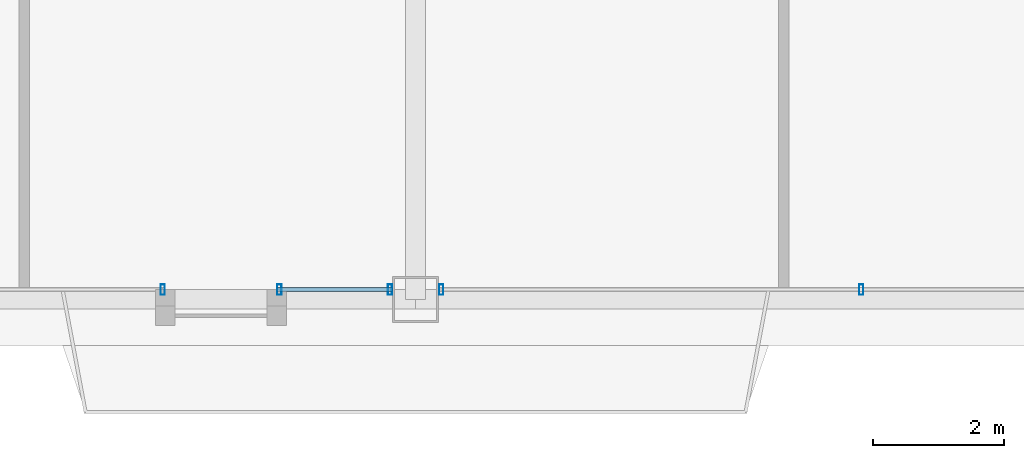
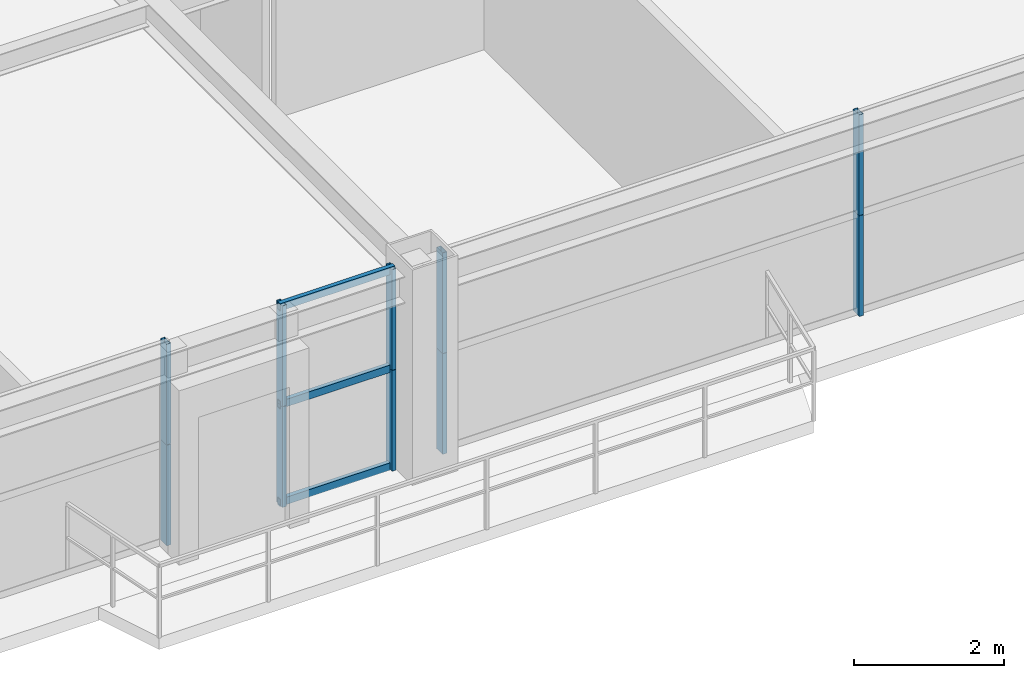
# One storey, part 7 of 33: 13 members, 3 elements without a shape of their own.
"""IFC4 building model written with IfcOpenShell, lengths in metres."""

from ifc_helpers import new_model, si_unit, direction, frame, origin, origin_2d, place, context, subcontext, project, spatial, hollow_rectangle, extrude, source, transform, mapped, material, layer, layer_set, material_profile, profile_set, type_object, element, aggregate, save


model = new_model("IFC4")

# Units and contexts
model_context = context("Model", 3, precision=1e-05, world=origin(), true_north=direction((0.0, 1.0)))
body_context = subcontext(model_context, "Body", "Model", "MODEL_VIEW")
ifc_project = project(units=[si_unit("LENGTHUNIT", "METRE"), si_unit("AREAUNIT", "SQUARE_METRE"), si_unit("VOLUMEUNIT", "CUBIC_METRE"), si_unit("PLANEANGLEUNIT", "RADIAN"), si_unit("MASSUNIT", "GRAM", prefix="KILO"), si_unit("THERMODYNAMICTEMPERATUREUNIT", "KELVIN"), si_unit("POWERUNIT", "WATT")], contexts=[model_context])

# Site, building, storey
site_placement = place(None, origin())
site = spatial("IfcSite", under=ifc_project, at=site_placement, CompositionType="ELEMENT")
building_placement = place(site_placement, origin())
building = spatial("IfcBuilding", under=site, at=building_placement, Name="Yuzanri Waterfront Tower", CompositionType="ELEMENT")
storey_placement = place(building_placement, frame((0.0, 0.0, 234.60009765625)))
storey = spatial("IfcBuildingStorey", under=building, at=storey_placement, Name="L62", CompositionType="ELEMENT", Elevation=234.60009765625)

# Curtain wall, members
ifc_material_1 = material(Name="Anodized Architectural Bronze", Category="metal")
ifc_layer = layer(ifc_material_1, 0.159912109375)
ifc_layer_set = layer_set([ifc_layer], Name="Anodized Architectural Bronze")
curtain_wall_type = type_object("IfcCurtainWallType", Name="Anodized Bronze Mid-Rise Residential Acoustic Unitized Curtain Wall 7200", PredefinedType="NOTDEFINED", material=ifc_layer_set)
curtain_wall_1_placement = place(storey_placement, origin())
curtain_wall_1 = element("IfcCurtainWall", 1, at=curtain_wall_1_placement, inside=storey, type_object=curtain_wall_type, Name="L62 Curtain Wall CW-L62-SL1", PredefinedType="NOTDEFINED")
ifc_material_2 = material(Name="Anodized Architectural Bronze", Category="metal")
ifc_material_profile_1 = material_profile(ifc_material_2, hollow_rectangle(XDim=0.06494140625, YDim=0.159912109375, WallThickness=0.00341796875, at=origin_2d()), Name="CWM 65x160")
ifc_profile_set_1 = profile_set([ifc_material_profile_1], Name="Anodized Architectural Bronze")
member_type_1 = type_object("IfcMemberType", Name="Anodized Bronze Upper-Zone Curtain-Wall Mullion 65x160", PredefinedType="MULLION", material=ifc_profile_set_1)
shared_shape_1 = source(origin(), body_context, "Body", "SweptSolid", [
    extrude(hollow_rectangle(XDim=0.06494140625, YDim=0.159912109375, WallThickness=0.00341796875, at=origin_2d()), origin(), (0.0, 0.0, 1.0), 1.637939453125),
])
member_1_placement = place(storey_placement, frame((33.14208984375, 5.35009765625, 0.0), z_axis=(0.0, 0.0, 1.0), x_axis=(1.0, 0.0, 0.0)))
member_1 = element("IfcMember", 2, at=member_1_placement, type_object=member_type_1, Name="CW-L62-SL1 Lower Mullion 01", PredefinedType="MULLION", context=body_context, shape_type="MappedRepresentation", body=[
    mapped(shared_shape_1, transform((0.0, 0.0, 0.0), scale=1.0)),
])
member_2_placement = place(storey_placement, frame((33.14208984375, 5.35009765625, 1.641845703125), z_axis=(0.0, 0.0, 1.0), x_axis=(1.0, 0.0, 0.0)))
member_2 = element("IfcMember", 3, at=member_2_placement, type_object=member_type_1, Name="CW-L62-SL1 Upper Mullion 01", PredefinedType="MULLION", context=body_context, shape_type="MappedRepresentation", body=[
    mapped(shared_shape_1, transform((0.0, 0.0, 0.0), scale=1.0)),
])
aggregate(curtain_wall_1, [member_1, member_2])

curtain_wall_2_placement = place(storey_placement, origin())
curtain_wall_2 = element("IfcCurtainWall", 4, at=curtain_wall_2_placement, inside=storey, type_object=curtain_wall_type, Name="L62 Curtain Wall CW-L62-SL2", PredefinedType="NOTDEFINED")
member_3_placement = place(storey_placement, frame((34.922119140625, 5.35009765625, 0.0), z_axis=(0.0, 0.0, 1.0), x_axis=(1.0, 0.0, 0.0)))
member_3 = element("IfcMember", 5, at=member_3_placement, type_object=member_type_1, Name="CW-L62-SL2 Lower Mullion 00", PredefinedType="MULLION", context=body_context, shape_type="MappedRepresentation", body=[
    mapped(shared_shape_1, transform((0.0, 0.0, 0.0), scale=1.0)),
])
member_4_placement = place(storey_placement, frame((34.922119140625, 5.35009765625, 1.641845703125), z_axis=(0.0, 0.0, 1.0), x_axis=(1.0, 0.0, 0.0)))
member_4 = element("IfcMember", 6, at=member_4_placement, type_object=member_type_1, Name="CW-L62-SL2 Upper Mullion 00", PredefinedType="MULLION", context=body_context, shape_type="MappedRepresentation", body=[
    mapped(shared_shape_1, transform((0.0, 0.0, 0.0), scale=1.0)),
])
member_5_placement = place(storey_placement, frame((36.610107421875, 5.35009765625, 0.0), z_axis=(0.0, 0.0, 1.0), x_axis=(1.0, 0.0, 0.0)))
member_5 = element("IfcMember", 7, at=member_5_placement, type_object=member_type_1, Name="CW-L62-SL2 Lower Mullion 01", PredefinedType="MULLION", context=body_context, shape_type="MappedRepresentation", body=[
    mapped(shared_shape_1, transform((0.0, 0.0, 0.0), scale=1.0)),
])
member_6_placement = place(storey_placement, frame((36.610107421875, 5.35009765625, 1.641845703125), z_axis=(0.0, 0.0, 1.0), x_axis=(1.0, 0.0, 0.0)))
member_6 = element("IfcMember", 8, at=member_6_placement, type_object=member_type_1, Name="CW-L62-SL2 Upper Mullion 01", PredefinedType="MULLION", context=body_context, shape_type="MappedRepresentation", body=[
    mapped(shared_shape_1, transform((0.0, 0.0, 0.0), scale=1.0)),
])

curtain_wall_3_placement = place(storey_placement, origin())
curtain_wall_3 = element("IfcCurtainWall", 9, at=curtain_wall_3_placement, inside=storey, type_object=curtain_wall_type, Name="L62 Curtain Wall CW-L62-SR", PredefinedType="NOTDEFINED")
member_7_placement = place(storey_placement, frame((37.389892578125, 5.35009765625, 0.0), z_axis=(0.0, 0.0, 1.0), x_axis=(1.0, 0.0, 0.0)))
member_7 = element("IfcMember", 10, at=member_7_placement, type_object=member_type_1, Name="CW-L62-SR Lower Mullion 00", PredefinedType="MULLION", context=body_context, shape_type="MappedRepresentation", body=[
    mapped(shared_shape_1, transform((0.0, 0.0, 0.0), scale=1.0)),
])
member_8_placement = place(storey_placement, frame((37.389892578125, 5.35009765625, 1.641845703125), z_axis=(0.0, 0.0, 1.0), x_axis=(1.0, 0.0, 0.0)))
member_8 = element("IfcMember", 11, at=member_8_placement, type_object=member_type_1, Name="CW-L62-SR Upper Mullion 00", PredefinedType="MULLION", context=body_context, shape_type="MappedRepresentation", body=[
    mapped(shared_shape_1, transform((0.0, 0.0, 0.0), scale=1.0)),
])
member_9_placement = place(storey_placement, frame((43.800048828125, 5.35009765625, 0.0), z_axis=(0.0, 0.0, 1.0), x_axis=(1.0, 0.0, 0.0)))
member_9 = element("IfcMember", 12, at=member_9_placement, type_object=member_type_1, Name="CW-L62-SR Lower Mullion 01", PredefinedType="MULLION", context=body_context, shape_type="MappedRepresentation", body=[
    mapped(shared_shape_1, transform((0.0, 0.0, 0.0), scale=1.0)),
])
member_10_placement = place(storey_placement, frame((43.800048828125, 5.35009765625, 1.641845703125), z_axis=(0.0, 0.0, 1.0), x_axis=(1.0, 0.0, 0.0)))
member_10 = element("IfcMember", 13, at=member_10_placement, type_object=member_type_1, Name="CW-L62-SR Upper Mullion 01", PredefinedType="MULLION", context=body_context, shape_type="MappedRepresentation", body=[
    mapped(shared_shape_1, transform((0.0, 0.0, 0.0), scale=1.0)),
])
aggregate(curtain_wall_3, [member_7, member_8, member_9, member_10])

# Member
ifc_material_3 = material(Name="Anodized Architectural Bronze", Category="metal")
ifc_material_profile_2 = material_profile(ifc_material_3, hollow_rectangle(XDim=0.06494140625, YDim=0.1201171875, WallThickness=0.00341796875, at=origin_2d()), Name="CWT 65x120")
ifc_profile_set_2 = profile_set([ifc_material_profile_2], Name="Anodized Architectural Bronze")
member_type_2 = type_object("IfcMemberType", Name="Anodized Bronze Secondary Curtain-Wall Transom 65x120", PredefinedType="USERDEFINED", material=ifc_profile_set_2)
shared_shape_2 = source(origin(), body_context, "Body", "SweptSolid", [
    extrude(hollow_rectangle(XDim=0.06494140625, YDim=0.1201171875, WallThickness=0.00341796875, at=origin_2d()), origin(), (0.0, 0.0, 1.0), 1.767822265625),
])
member_11_placement = place(storey_placement, frame((34.882080078125, 5.35009765625, 0.0498046875), z_axis=(1.0, 0.0, 0.0), x_axis=(0.0, 1.0, 0.0)))
member_11 = element("IfcMember", 14, at=member_11_placement, type_object=member_type_2, Name="CW-L62-SL2 Transom 1", ObjectType="TRANSOM", PredefinedType="USERDEFINED", context=body_context, shape_type="MappedRepresentation", body=[
    mapped(shared_shape_2, transform((0.0, 0.0, 0.0), scale=1.0)),
])

member_12_placement = place(storey_placement, frame((34.882080078125, 5.35009765625, 1.639892578125), z_axis=(1.0, 0.0, 0.0), x_axis=(0.0, 1.0, 0.0)))
member_12 = element("IfcMember", 15, at=member_12_placement, type_object=member_type_2, Name="CW-L62-SL2 Transom 2", ObjectType="TRANSOM", PredefinedType="USERDEFINED", context=body_context, shape_type="MappedRepresentation", body=[
    mapped(shared_shape_2, transform((0.0, 0.0, 0.0), scale=1.0)),
])

member_13_placement = place(storey_placement, frame((34.882080078125, 5.35009765625, 3.22998046875), z_axis=(1.0, 0.0, 0.0), x_axis=(0.0, 1.0, 0.0)))
member_13 = element("IfcMember", 16, at=member_13_placement, type_object=member_type_2, Name="CW-L62-SL2 Transom 3", ObjectType="TRANSOM", PredefinedType="USERDEFINED", context=body_context, shape_type="MappedRepresentation", body=[
    mapped(shared_shape_2, transform((0.0, 0.0, 0.0), scale=1.0)),
])

aggregate(curtain_wall_2, [member_3, member_4, member_5, member_6, member_11, member_12, member_13])

save(model, "model.ifc")
